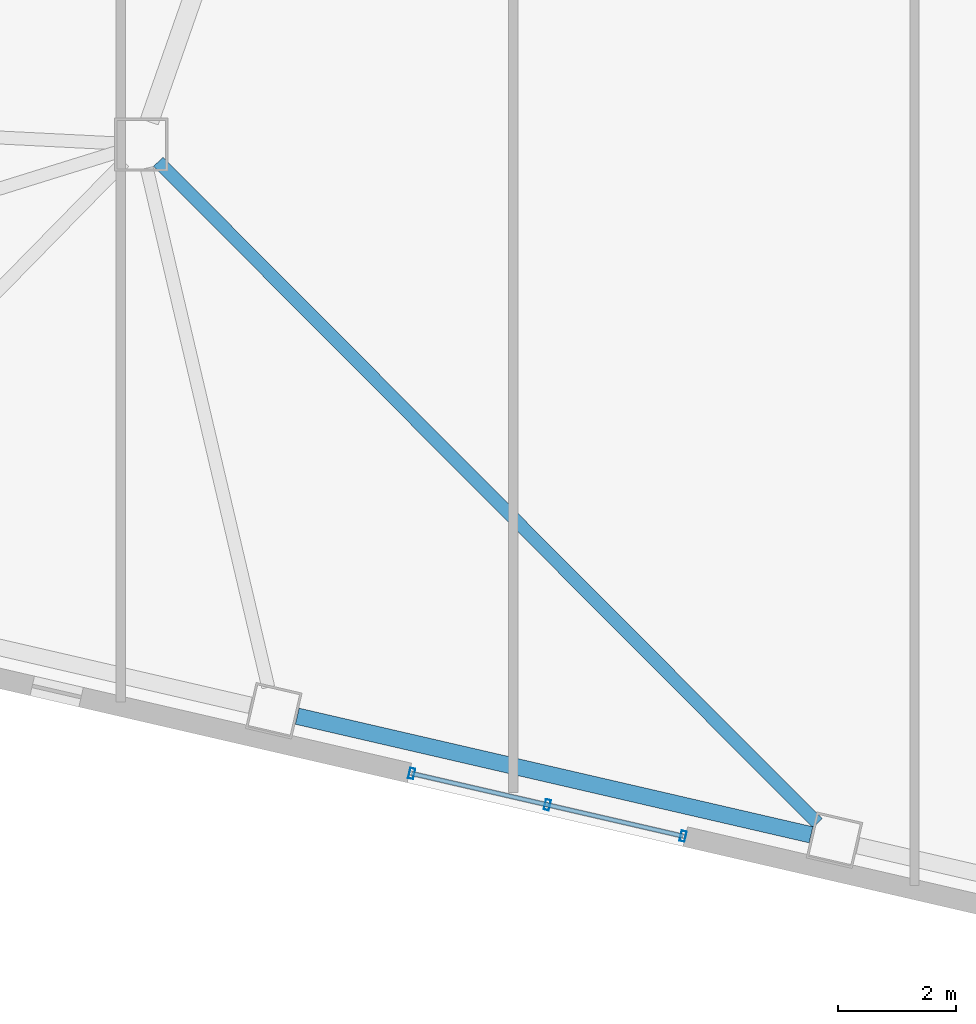
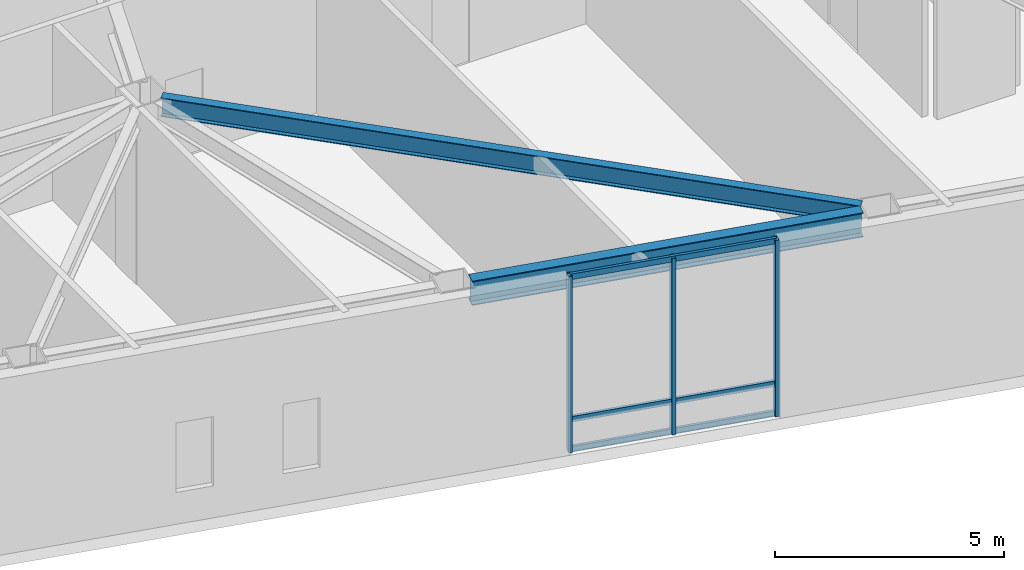
# One storey, part 2 of 20: 6 members, 2 beams, 1 element without a shape of its own.
"""IFC4 building model written with IfcOpenShell, lengths in metres."""

from ifc_helpers import new_model, si_unit, direction, frame, origin, origin_2d, place, context, subcontext, project, spatial, hollow_rectangle, i_section, extrude, material, layer, layer_set, material_profile, profile_set, type_object, element, aggregate, save


model = new_model("IFC4")

# Units and contexts
model_context = context("Model", 3, precision=1e-05, world=origin(), true_north=direction((0.0, 1.0)))
body_context = subcontext(model_context, "Body", "Model", "MODEL_VIEW")
ifc_project = project(units=[si_unit("LENGTHUNIT", "METRE"), si_unit("AREAUNIT", "SQUARE_METRE"), si_unit("VOLUMEUNIT", "CUBIC_METRE"), si_unit("PLANEANGLEUNIT", "RADIAN"), si_unit("MASSUNIT", "GRAM", prefix="KILO")], contexts=[model_context])

# Site, building, storey
site_placement = place(None, origin())
site = spatial("IfcSite", under=ifc_project, at=site_placement, CompositionType="ELEMENT")
building_placement = place(site_placement, origin())
building = spatial("IfcBuilding", under=site, at=building_placement, Name="Tavrogorsk Clinical Tower", CompositionType="ELEMENT")
storey_placement = place(building_placement, frame((0.0, 0.0, 18.39990234375)))
storey = spatial("IfcBuildingStorey", under=building, at=storey_placement, Name="L03", CompositionType="ELEMENT", Elevation=18.39990234375)

# Curtain wall, members
ifc_material_1 = material(Name="Anodised aluminium and triple IGU glazing", Category="aluminium")
ifc_layer = layer(ifc_material_1, 0.179931640625)
ifc_layer_set = layer_set([ifc_layer], Name="Anodised aluminium and triple IGU glazing")
curtain_wall_type = type_object("IfcCurtainWallType", Name="CW3_SouthSlot", PredefinedType="NOTDEFINED", material=ifc_layer_set)
curtain_wall_placement = place(storey_placement, origin())
curtain_wall = element("IfcCurtainWall", 1, at=curtain_wall_placement, inside=storey, type_object=curtain_wall_type, Name="L03 Curtain Wall CW-L03-S-SLOT-1", PredefinedType="NOTDEFINED")
ifc_material_2 = material(Name="Anodised aluminium alloy AW-6060", Category="aluminium")
ifc_material_profile_1 = material_profile(ifc_material_2, hollow_rectangle(XDim=0.090087890625, YDim=0.179931640625, WallThickness=0.00634765625, at=origin_2d()), Name="RHS-180x90x6.3")
ifc_profile_set_1 = profile_set([ifc_material_profile_1], Name="Anodised aluminium alloy AW-6060")
member_type_1 = type_object("IfcMemberType", Name="CwMullion_180x90", PredefinedType="MULLION", material=ifc_profile_set_1)
member_1_placement = place(storey_placement, frame((-19.917724609375, -23.8544921875, 0.0), z_axis=(0.0, 0.0, 1.0), x_axis=(0.974370046851, -0.224951132027, 0.0)))
member_1 = element("IfcMember", 2, at=member_1_placement, type_object=member_type_1, Name="CW-L03-S-SLOT-1 Mullion 1", PredefinedType="MULLION", context=body_context, shape_type="SweptSolid", body=[
    extrude(hollow_rectangle(XDim=0.090087890625, YDim=0.179931640625, WallThickness=0.00634765625, at=origin_2d()), origin(), (0.0, 0.0, 1.0), 4.7001953125),
])
member_2_placement = place(storey_placement, frame((-17.619384765625, -24.38525390625, 0.0), z_axis=(0.0, 0.0, 1.0), x_axis=(0.974370046851, -0.224951132027, 0.0)))
member_2 = element("IfcMember", 3, at=member_2_placement, type_object=member_type_1, Name="CW-L03-S-SLOT-1 Mullion 2", PredefinedType="MULLION", context=body_context, shape_type="SweptSolid", body=[
    extrude(hollow_rectangle(XDim=0.090087890625, YDim=0.179931640625, WallThickness=0.00634765625, at=origin_2d()), origin(), (0.0, 0.0, 1.0), 4.7001953125),
])
member_3_placement = place(storey_placement, frame((-15.32080078125, -24.916015625, 0.0), z_axis=(0.0, 0.0, 1.0), x_axis=(0.974370046851, -0.224951132027, 0.0)))
member_3 = element("IfcMember", 4, at=member_3_placement, type_object=member_type_1, Name="CW-L03-S-SLOT-1 Mullion 3", PredefinedType="MULLION", context=body_context, shape_type="SweptSolid", body=[
    extrude(hollow_rectangle(XDim=0.090087890625, YDim=0.179931640625, WallThickness=0.00634765625, at=origin_2d()), origin(), (0.0, 0.0, 1.0), 4.7001953125),
])
ifc_material_3 = material(Name="Anodised aluminium alloy AW-6060", Category="aluminium")
ifc_material_profile_2 = material_profile(ifc_material_3, hollow_rectangle(XDim=0.074951171875, YDim=0.14990234375, WallThickness=0.0048828125, at=origin_2d()), Name="RHS-150x75x5")
ifc_profile_set_2 = profile_set([ifc_material_profile_2], Name="Anodised aluminium alloy AW-6060")
member_type_2 = type_object("IfcMemberType", Name="CwTransom_150x75", PredefinedType="USERDEFINED", material=ifc_profile_set_2)
member_4_placement = place(storey_placement, frame((-19.917724609375, -23.8544921875, 0.050048828125), z_axis=(0.974358915979, -0.224999339672, 0.0), x_axis=(0.224999339672, 0.974358915979, 0.0)))
member_4 = element("IfcMember", 5, at=member_4_placement, type_object=member_type_2, Name="CW-L03-S-SLOT-1 Transom 1", ObjectType="TRANSOM", PredefinedType="USERDEFINED", context=body_context, shape_type="SweptSolid", body=[
    extrude(hollow_rectangle(XDim=0.074951171875, YDim=0.14990234375, WallThickness=0.0048828125, at=origin_2d()), origin(), (0.0, 0.0, 1.0), 4.718017578125),
])
member_5_placement = place(storey_placement, frame((-19.917724609375, -23.8544921875, 0.85009765625), z_axis=(0.974358915979, -0.224999339672, 0.0), x_axis=(0.224999339672, 0.974358915979, 0.0)))
member_5 = element("IfcMember", 6, at=member_5_placement, type_object=member_type_2, Name="CW-L03-S-SLOT-1 Transom 2", ObjectType="TRANSOM", PredefinedType="USERDEFINED", context=body_context, shape_type="SweptSolid", body=[
    extrude(hollow_rectangle(XDim=0.074951171875, YDim=0.14990234375, WallThickness=0.0048828125, at=origin_2d()), origin(), (0.0, 0.0, 1.0), 4.718017578125),
])
member_6_placement = place(storey_placement, frame((-19.917724609375, -23.8544921875, 4.650146484375), z_axis=(0.974358915979, -0.224999339672, 0.0), x_axis=(0.224999339672, 0.974358915979, 0.0)))
member_6 = element("IfcMember", 7, at=member_6_placement, type_object=member_type_2, Name="CW-L03-S-SLOT-1 Transom 3", ObjectType="TRANSOM", PredefinedType="USERDEFINED", context=body_context, shape_type="SweptSolid", body=[
    extrude(hollow_rectangle(XDim=0.074951171875, YDim=0.14990234375, WallThickness=0.0048828125, at=origin_2d()), origin(), (0.0, 0.0, 1.0), 4.718017578125),
])
aggregate(curtain_wall, [member_1, member_2, member_3, member_4, member_5, member_6])

# Beams
ifc_material_4 = material(Name="Structural steel S355", Category="steel")
ifc_material_profile_3 = material_profile(ifc_material_4, i_section(OverallWidth=0.219970703125, OverallDepth=0.5, WebThickness=0.012939453125, FlangeThickness=0.02001953125, at=origin_2d()), Name="B-500x220x13x20")
ifc_profile_set_3 = profile_set([ifc_material_profile_3], Name="Structural steel S355")
beam_type_1 = type_object("IfcBeamType", Name="FloorBeam_B500", PredefinedType="BEAM", material=ifc_profile_set_3)
beam_1_placement = place(storey_placement, frame((-24.210693359375, -13.490478515625, 4.4501953125), z_axis=(0.705909757155, -0.70830178226, 0.0), x_axis=(0.70830178226, 0.705909757155, 0.0)))
element("IfcBeam", 8, at=beam_1_placement, inside=storey, type_object=beam_type_1, Name="L03 Radial Floor Beam S4", PredefinedType="BEAM", context=body_context, shape_type="SweptSolid", body=[
    extrude(i_section(OverallWidth=0.219970703125, OverallDepth=0.5, WebThickness=0.012939453125, FlangeThickness=0.02001953125, at=origin_2d()), origin(), (0.0, 0.0, 1.0), 15.820068359375),
])
ifc_material_5 = material(Name="Structural steel S390", Category="steel")
ifc_material_profile_4 = material_profile(ifc_material_5, i_section(OverallWidth=0.280029296875, OverallDepth=0.64990234375, WebThickness=0.01611328125, FlangeThickness=0.02490234375, at=origin_2d()), Name="B-650x280x16x25")
ifc_profile_set_4 = profile_set([ifc_material_profile_4], Name="Structural steel S390")
beam_type_2 = type_object("IfcBeamType", Name="SpandrelBeam_B650", PredefinedType="SPANDREL", material=ifc_profile_set_4)
beam_2_placement = place(storey_placement, frame((-21.8564453125, -22.8837890625, 4.375), z_axis=(0.974372766602, -0.224939351168, 0.0), x_axis=(0.224939351168, 0.974372766602, 0.0)))
element("IfcBeam", 9, at=beam_2_placement, inside=storey, type_object=beam_type_2, Name="L03 Perimeter Spandrel S3-S4", PredefinedType="SPANDREL", context=body_context, shape_type="SweptSolid", body=[
    extrude(i_section(OverallWidth=0.280029296875, OverallDepth=0.64990234375, WebThickness=0.01611328125, FlangeThickness=0.02490234375, at=origin_2d()), origin(), (0.0, 0.0, 1.0), 8.9326171875),
])

save(model, "model.ifc")
